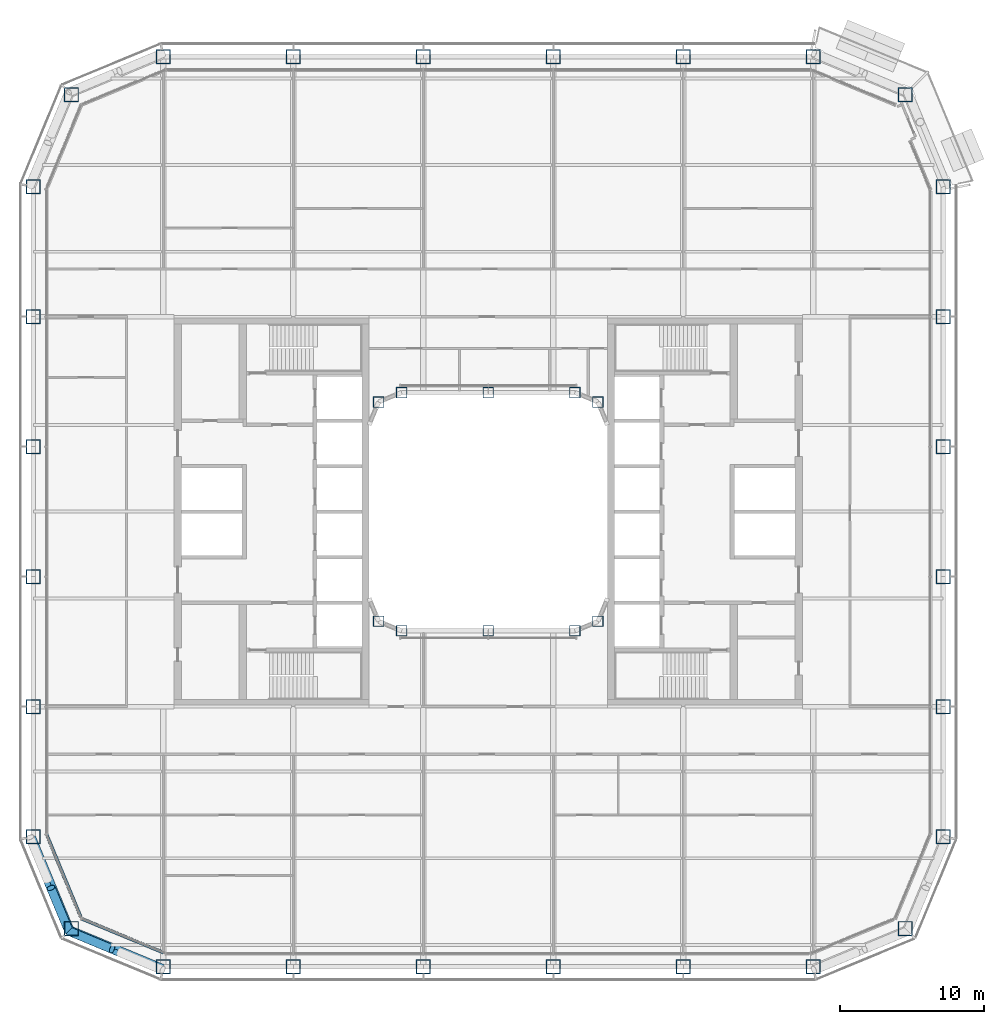
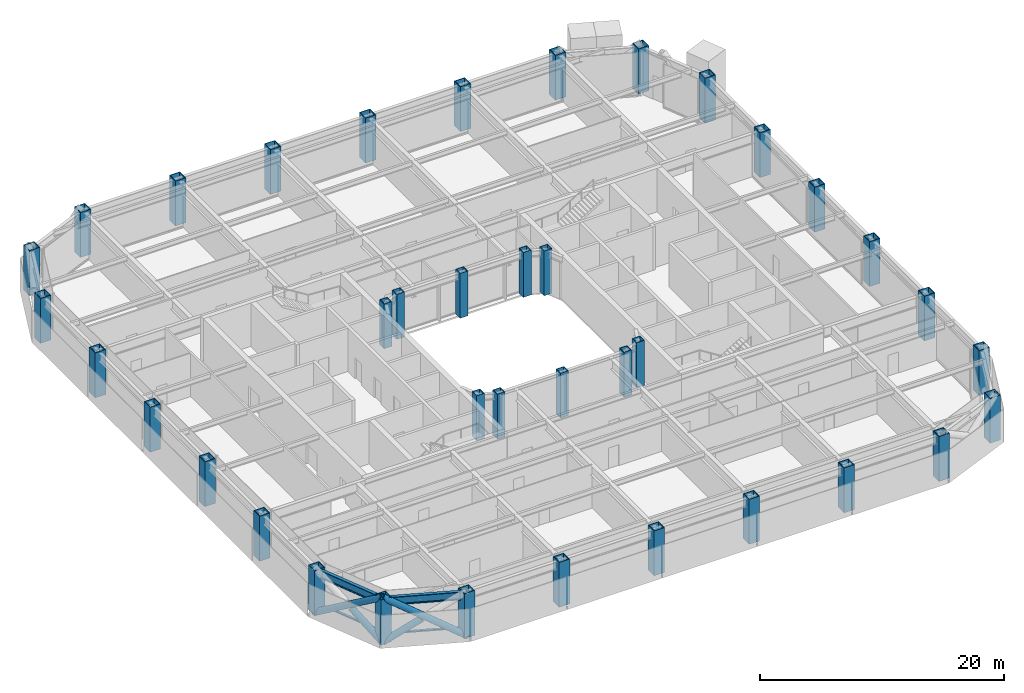
# One storey, part 1 of 30: 38 columns, 6 members, 2 beams, 2 elements without a shape of their own.
"""IFC4 building model written with IfcOpenShell, lengths in metres."""

import ifcopenshell
import ifcopenshell.guid

model = None  # the IFC model being written
_history = None  # IfcOwnerHistory: only IFC2X3 demands one
_inside = {}  # id of a spatial element -> (the spatial element, [elements in it])
_under = {}  # id of a project, library or spatial element -> (it, [spatial elements below it])
_declared = {}  # id of a project -> (the project, [libraries it declares])
_typed = {}  # id of a type object -> (the type object, [elements of that type])
_made_of = {}  # id of a material, layer set ... -> (it, [elements and type objects made of it])


def new_model(schema):
    """Start an empty IFC model of exactly this schema.

    Asked for "IFC4X3", IfcOpenShell would pick the latest addendum, in which some entities
    have other attributes; the version numbers below select the first issue.
    IFC2X3 requires an IfcOwnerHistory on every rooted entity: one is made here for all.
    """
    global model, _history
    if schema == "IFC4X3":
        model = ifcopenshell.file(schema_version=(4, 3, 0, 0))
    else:
        model = ifcopenshell.file(schema=schema)
    _inside.clear()
    _under.clear()
    _declared.clear()
    _typed.clear()
    _made_of.clear()
    _history = None
    if model.schema == "IFC2X3":
        org = make("IfcOrganization", Name="unknown")
        user = make(
            "IfcPersonAndOrganization",
            ThePerson=make("IfcPerson", FamilyName="unknown"),
            TheOrganization=org,
        )
        app = make(
            "IfcApplication",
            ApplicationDeveloper=org,
            Version="unknown",
            ApplicationFullName="unknown",
            ApplicationIdentifier="unknown",
        )
        _history = make(
            "IfcOwnerHistory",
            OwningUser=user,
            OwningApplication=app,
            ChangeAction="ADDED",
            CreationDate=0,
        )
    return model


def make(cls, **values):
    """One entity of the class cls with the attributes given. An attribute that is None is left unset."""
    return model.create_entity(
        cls, **{name: value for name, value in values.items() if value is not None}
    )


def rooted(cls, **values):
    """An entity with a GlobalId (a new one), such as an element, a storey or a relation."""
    return make(cls, GlobalId=ifcopenshell.guid.new(), OwnerHistory=_history, **values)


def si_unit(unit_type, name, prefix=None):
    """IfcSIUnit, for example si_unit("LENGTHUNIT", "METRE", prefix="MILLI")."""
    return make("IfcSIUnit", UnitType=unit_type, Prefix=prefix, Name=name)


def assignment(units):
    """IfcUnitAssignment: the units of a project."""
    return None if units is None else make("IfcUnitAssignment", Units=units)


def point(xyz):
    """IfcCartesianPoint."""
    return None if xyz is None else make("IfcCartesianPoint", Coordinates=xyz)


def direction(xyz):
    """IfcDirection."""
    return None if xyz is None else make("IfcDirection", DirectionRatios=xyz)


def frame(location, z_axis=None, x_axis=None):
    """IfcAxis2Placement3D, a coordinate frame: its origin and axes. An axis left out is left unset."""
    return make(
        "IfcAxis2Placement3D",
        Location=point(location),
        Axis=direction(z_axis),
        RefDirection=direction(x_axis),
    )


def frame_2d(location, x_axis=None):
    """IfcAxis2Placement2D, a coordinate frame in the plane: its origin and x axis."""
    return make(
        "IfcAxis2Placement2D", Location=point(location), RefDirection=direction(x_axis)
    )


def origin():
    """The frame at (0, 0, 0) with its axes left unset."""
    return frame((0.0, 0.0, 0.0))


def origin_2d():
    """The frame at (0, 0) in the plane with its x axis left unset."""
    return frame_2d((0.0, 0.0))


def place(relative_to, where):
    """IfcLocalPlacement: puts the frame where relative to a parent placement (None: the world)."""
    return make(
        "IfcLocalPlacement", PlacementRelTo=relative_to, RelativePlacement=where
    )


def context(
    kind, dimensions, precision=None, world=None, true_north=None, identifier=None
):
    """IfcGeometricRepresentationContext, for example the 3D "Model" context."""
    return make(
        "IfcGeometricRepresentationContext",
        ContextIdentifier=identifier,
        ContextType=kind,
        CoordinateSpaceDimension=dimensions,
        Precision=precision,
        WorldCoordinateSystem=world,
        TrueNorth=true_north,
    )


def subcontext(parent, identifier, kind, view, scale=None):
    """IfcGeometricRepresentationSubContext, for example "Body" below "Model"."""
    return make(
        "IfcGeometricRepresentationSubContext",
        ContextIdentifier=identifier,
        ContextType=kind,
        ParentContext=parent,
        TargetScale=scale,
        TargetView=view,
    )


def project(units=None, contexts=None):
    """IfcProject with its units and contexts."""
    return rooted(
        "IfcProject",
        Name="project",
        RepresentationContexts=contexts,
        UnitsInContext=assignment(units),
    )


def spatial(cls, under=None, at=None, **own):
    """A site, building, storey or space (cls), placed at a placement, below another one or the project."""
    s = rooted(cls, ObjectPlacement=at, **own)
    if under is not None:
        _under.setdefault(under.id(), (under, []))[1].append(s)
    return s


def profile(cls, at=None, kind="AREA", **sizes):
    """A parametric profile (cls). Its sizes go by their IFC names, for example OverallWidth=200.0."""
    return make(cls, ProfileType=kind, Position=at, **sizes)


def rectangle(**sizes):
    """IfcRectangleProfileDef."""
    return profile("IfcRectangleProfileDef", **sizes)


def hollow_rectangle(**sizes):
    """IfcRectangleHollowProfileDef."""
    return profile("IfcRectangleHollowProfileDef", **sizes)


def hollow_circle(**sizes):
    """IfcCircleHollowProfileDef."""
    return profile("IfcCircleHollowProfileDef", **sizes)


def i_section(**sizes):
    """IfcIShapeProfileDef."""
    return profile("IfcIShapeProfileDef", **sizes)


def extrude(swept, where, along, depth):
    """IfcExtrudedAreaSolid: the profile swept, set in the frame where, extruded along a direction by depth."""
    return make(
        "IfcExtrudedAreaSolid",
        SweptArea=swept,
        Position=where,
        ExtrudedDirection=direction(along),
        Depth=depth,
    )


def shape(context_of_items, identifier, shape_type, items):
    """IfcShapeRepresentation: the items that make up one representation, for example the "Body"."""
    return make(
        "IfcShapeRepresentation",
        ContextOfItems=context_of_items,
        RepresentationIdentifier=identifier,
        RepresentationType=shape_type,
        Items=items,
    )


def material(Name=None, Category=None):
    """IfcMaterial."""
    return make("IfcMaterial", Name=Name, Category=Category)


def layer(
    of_material, thickness, ventilated=None, Name=None, Category=None, Priority=None
):
    """IfcMaterialLayer: one layer of a wall or slab, of a material (None: an air gap)."""
    return make(
        "IfcMaterialLayer",
        Material=of_material,
        LayerThickness=thickness,
        IsVentilated=ventilated,
        Name=Name,
        Category=Category,
        Priority=Priority,
    )


def layer_set(layers, Name=None):
    """IfcMaterialLayerSet."""
    return make("IfcMaterialLayerSet", MaterialLayers=layers, LayerSetName=Name)


def material_profile(
    of_material, cross_section, Name=None, Category=None, Priority=None
):
    """IfcMaterialProfile: a cross section and its material."""
    return make(
        "IfcMaterialProfile",
        Name=Name,
        Material=of_material,
        Profile=cross_section,
        Priority=Priority,
        Category=Category,
    )


def profile_set(profiles, Name=None, composite=None):
    """IfcMaterialProfileSet."""
    return make(
        "IfcMaterialProfileSet",
        Name=Name,
        MaterialProfiles=profiles,
        CompositeProfile=composite,
    )


def made_of(thing, what):
    """Note that an element or type object is made of a material, layer set ...; save() writes the relation."""
    if what is not None:
        _made_of.setdefault(what.id(), (what, []))[1].append(thing)
    return thing


def type_object(cls, material=None, **own):
    """A type object (cls), such as IfcWallType, which elements share."""
    return made_of(rooted(cls, **own), material)


def element(
    cls,
    number,
    at=None,
    inside=None,
    cuts=None,
    type_object=None,
    material=None,
    context=None,
    identifier="Body",
    shape_type=None,
    held_by="IfcProductDefinitionShape",
    body=None,
    shapes=None,
    **own,
):
    """One element of the class cls, such as IfcWall. Its Tag is "e" and its number.

    at: its placement. inside: the storey or other place that contains it. cuts: it is an
    opening in that element (IfcRelVoidsElement). A single representation is given by context,
    identifier, shape_type and body (its items); several are given by shapes. held_by: the class
    of the entity that holds the representations. save() writes the other relations.
    """
    e = rooted(cls, Tag="e%d" % number, ObjectPlacement=at, **own)
    if body is not None:
        shapes = [shape(context, identifier, shape_type, body)]
    if shapes is not None:
        e.Representation = make(held_by, Representations=shapes)
    if inside is not None:
        _inside.setdefault(inside.id(), (inside, []))[1].append(e)
    if cuts is not None:
        rooted(
            "IfcRelVoidsElement", RelatingBuildingElement=cuts, RelatedOpeningElement=e
        )
    if type_object is not None:
        _typed.setdefault(type_object.id(), (type_object, []))[1].append(e)
    return made_of(e, material)


def aggregate(whole, parts):
    """IfcRelAggregates: a whole, such as a stair, and the parts it consists of."""
    return rooted("IfcRelAggregates", RelatingObject=whole, RelatedObjects=parts)


def save(model, path):
    """Write the relations noted so far, then the file.

    IfcRelAggregates (storeys below a building ...), IfcRelContainedInSpatialStructure (elements
    in a storey), IfcRelDefinesByType, IfcRelAssociatesMaterial and IfcRelDeclares: one each for
    every whole, place, type object, material and project.
    """
    for whole, parts in _under.values():
        aggregate(whole, parts)
    for where, things in _inside.values():
        rooted(
            "IfcRelContainedInSpatialStructure",
            RelatedElements=things,
            RelatingStructure=where,
        )
    for kind, things in _typed.values():
        rooted("IfcRelDefinesByType", RelatedObjects=things, RelatingType=kind)
    for what, things in _made_of.values():
        rooted("IfcRelAssociatesMaterial", RelatedObjects=things, RelatingMaterial=what)
    for by, libraries in _declared.values():
        rooted("IfcRelDeclares", RelatingContext=by, RelatedDefinitions=libraries)
    model.write(path)


model = new_model("IFC4")

# Units and contexts
model_context = context("Model", 3, precision=1e-05, world=origin(), true_north=direction((0.0, 1.0)))
body_context = subcontext(model_context, "Body", "Model", "MODEL_VIEW")
ifc_project = project(units=[si_unit("LENGTHUNIT", "METRE"), si_unit("AREAUNIT", "SQUARE_METRE"), si_unit("VOLUMEUNIT", "CUBIC_METRE"), si_unit("PLANEANGLEUNIT", "RADIAN"), si_unit("MASSUNIT", "GRAM", prefix="KILO")], contexts=[model_context])

# Site, building, storey
site_placement = place(None, origin())
site = spatial("IfcSite", under=ifc_project, at=site_placement, CompositionType="ELEMENT")
building_placement = place(site_placement, origin())
building = spatial("IfcBuilding", under=site, at=building_placement, Name="Siwar Civic Tower", CompositionType="ELEMENT")
storey_placement = place(building_placement, frame((0.0, 0.0, 80.699951171875)))
storey = spatial("IfcBuildingStorey", under=building, at=storey_placement, Name="L17", CompositionType="ELEMENT", Elevation=80.699951171875)

# Columns
ifc_material_1 = material(Name="Steel S460", Category="steel")
ifc_material_profile_1 = material_profile(ifc_material_1, hollow_rectangle(XDim=1.0, YDim=1.0, WallThickness=0.06005859375, at=origin_2d()), Name="BOX1000x1000x60")
ifc_profile_set_1 = profile_set([ifc_material_profile_1], Name="Steel S460")
column_type_1 = type_object("IfcColumnType", Name="STR-COL-BOX1000x1000x60", PredefinedType="COLUMN", material=ifc_profile_set_1)
for number, where, z_axis, x_axis, name in (
    (1, (-22.5, -31.5, 0.0), (0.0, 0.0, 1.0), (1.0, 0.0, 0.0), "L17/col/S-0"),
    (2, (-13.5, -31.5, 0.0), (0.0, 0.0, 1.0), (1.0, 0.0, 0.0), "L17/col/S-1"),
    (3, (-4.5, -31.5, 0.0), (0.0, 0.0, 1.0), (1.0, 0.0, 0.0), "L17/col/S-2"),
    (4, (4.5, -31.5, 0.0), (0.0, 0.0, 1.0), (1.0, 0.0, 0.0), "L17/col/S-3"),
    (5, (13.5, -31.5, 0.0), (0.0, 0.0, 1.0), (1.0, 0.0, 0.0), "L17/col/S-4"),
    (6, (22.5, -31.5, 0.0), (0.0, 0.0, 1.0), (1.0, 0.0, 0.0), "L17/col/SE1-0"),
    (7, (28.864013671875, -28.864013671875, 0.0), (0.0, 0.0, 1.0), (1.0, 0.0, 0.0), "L17/col/SE2-0"),
    (8, (31.5, -22.5, 0.0), (0.0, 0.0, 1.0), (1.0, 0.0, 0.0), "L17/col/E-0"),
    (9, (31.5, -13.5, 0.0), (0.0, 0.0, 1.0), (1.0, 0.0, 0.0), "L17/col/E-1"),
    (10, (31.5, -4.5, 0.0), (0.0, 0.0, 1.0), (1.0, 0.0, 0.0), "L17/col/E-2"),
    (11, (31.5, 4.5, 0.0), (0.0, 0.0, 1.0), (1.0, 0.0, 0.0), "L17/col/E-3"),
    (12, (31.5, 13.5, 0.0), (0.0, 0.0, 1.0), (1.0, 0.0, 0.0), "L17/col/E-4"),
    (13, (31.5, 22.5, 0.0), (0.0, 0.0, 1.0), (1.0, 0.0, 0.0), "L17/col/NE1-0"),
    (14, (28.864013671875, 28.864013671875, 0.0), (0.0, 0.0, 1.0), (1.0, 0.0, 0.0), "L17/col/NE2-0"),
    (15, (22.5, 31.5, 0.0), (0.0, 0.0, 1.0), (1.0, 0.0, 0.0), "L17/col/N-0"),
    (16, (13.5, 31.5, 0.0), (0.0, 0.0, 1.0), (1.0, 0.0, 0.0), "L17/col/N-1"),
    (17, (4.5, 31.5, 0.0), (0.0, 0.0, 1.0), (1.0, 0.0, 0.0), "L17/col/N-2"),
    (18, (-4.5, 31.5, 0.0), (0.0, 0.0, 1.0), (1.0, 0.0, 0.0), "L17/col/N-3"),
    (19, (-13.5, 31.5, 0.0), (0.0, 0.0, 1.0), (1.0, 0.0, 0.0), "L17/col/N-4"),
    (20, (-22.5, 31.5, 0.0), (0.0, 0.0, 1.0), (1.0, 0.0, 0.0), "L17/col/NW1-0"),
    (21, (-28.864013671875, 28.864013671875, 0.0), (0.0, 0.0, 1.0), (1.0, 0.0, 0.0), "L17/col/NW2-0"),
    (22, (-31.5, 22.5, 0.0), (0.0, 0.0, 1.0), (1.0, 0.0, 0.0), "L17/col/W-0"),
    (23, (-31.5, 13.5, 0.0), (0.0, 0.0, 1.0), (1.0, 0.0, 0.0), "L17/col/W-1"),
    (24, (-31.5, 4.5, 0.0), (0.0, 0.0, 1.0), (1.0, 0.0, 0.0), "L17/col/W-2"),
    (25, (-31.5, -4.5, 0.0), (0.0, 0.0, 1.0), (1.0, 0.0, 0.0), "L17/col/W-3"),
    (26, (-31.5, -13.5, 0.0), (0.0, 0.0, 1.0), (1.0, 0.0, 0.0), "L17/col/W-4"),
    (27, (-31.5, -22.5, 0.0), (0.0, 0.0, 1.0), (1.0, 0.0, 0.0), "L17/col/SW1-0"),
    (28, (-28.864013671875, -28.864013671875, 0.0), (0.0, 0.0, 1.0), (1.0, 0.0, 0.0), "L17/col/SW2-0"),
):
    element("IfcColumn", number, at=place(storey_placement, frame(where, z_axis=z_axis, x_axis=x_axis)), inside=storey, type_object=column_type_1, Name=name, PredefinedType="COLUMN", context=body_context, shape_type="SweptSolid", body=[
        extrude(hollow_rectangle(XDim=1.0, YDim=1.0, WallThickness=0.06005859375, at=origin_2d()), origin(), (0.0, 0.0, 1.0), 4.5),
    ])
ifc_material_2 = material(Name="Steel S355", Category="steel")
ifc_material_profile_2 = material_profile(ifc_material_2, hollow_rectangle(XDim=0.75, YDim=0.75, WallThickness=0.044921875, at=origin_2d()), Name="BOX750x750x45")
ifc_profile_set_2 = profile_set([ifc_material_profile_2], Name="Steel S355")
column_type_2 = type_object("IfcColumnType", Name="STR-ICOL-BOX750x750x45", PredefinedType="COLUMN", material=ifc_profile_set_2)
for number, where, z_axis, x_axis, name in (
    (29, (-7.591064453125, -7.591064453125, 0.0), (0.0, 0.0, 1.0), (1.0, 0.0, 0.0), "L17/col/IS-0"),
    (30, (-6.0, -8.25, 0.0), (0.0, 0.0, 1.0), (1.0, 0.0, 0.0), "L17/col/IS-1"),
    (31, (0.0, -8.25, 0.0), (0.0, 0.0, 1.0), (1.0, 0.0, 0.0), "L17/col/IS-2"),
    (32, (6.0, -8.25, 0.0), (0.0, 0.0, 1.0), (1.0, 0.0, 0.0), "L17/col/IS-3"),
    (33, (7.591064453125, -7.591064453125, 0.0), (0.0, 0.0, 1.0), (1.0, 0.0, 0.0), "L17/col/IS-4"),
    (34, (-7.591064453125, 7.591064453125, 0.0), (0.0, 0.0, 1.0), (1.0, 0.0, 0.0), "L17/col/IN-0"),
    (35, (-6.0, 8.25, 0.0), (0.0, 0.0, 1.0), (1.0, 0.0, 0.0), "L17/col/IN-1"),
    (36, (0.0, 8.25, 0.0), (0.0, 0.0, 1.0), (1.0, 0.0, 0.0), "L17/col/IN-2"),
    (37, (6.0, 8.25, 0.0), (0.0, 0.0, 1.0), (1.0, 0.0, 0.0), "L17/col/IN-3"),
    (38, (7.591064453125, 7.591064453125, 0.0), (0.0, 0.0, 1.0), (1.0, 0.0, 0.0), "L17/col/IN-4"),
):
    element("IfcColumn", number, at=place(storey_placement, frame(where, z_axis=z_axis, x_axis=x_axis)), inside=storey, type_object=column_type_2, Name=name, PredefinedType="COLUMN", context=body_context, shape_type="SweptSolid", body=[
        extrude(hollow_rectangle(XDim=0.75, YDim=0.75, WallThickness=0.044921875, at=origin_2d()), origin(), (0.0, 0.0, 1.0), 4.5),
    ])

# Curtain wall, member
ifc_material_3 = material(Name="Aluminium clad insulated panel", Category="aluminium")
ifc_layer = layer(ifc_material_3, 0.219970703125)
ifc_layer_set = layer_set([ifc_layer], Name="Aluminium clad insulated panel")
curtain_wall_type = type_object("IfcCurtainWallType", Name="ENV-CW-AX", PredefinedType="NOTDEFINED", material=ifc_layer_set)
curtain_wall_1_placement = place(storey_placement, origin())
curtain_wall_1 = element("IfcCurtainWall", 39, at=curtain_wall_1_placement, inside=storey, type_object=curtain_wall_type, Name="Curtain wall A SW1", PredefinedType="NOTDEFINED")
ifc_material_4 = material(Name="Aluminium 6063-T6", Category="aluminium")
ifc_material_profile_3 = material_profile(ifc_material_4, rectangle(XDim=0.219970703125, YDim=0.1201171875, at=origin_2d()), Name="AL 220x120")
ifc_profile_set_3 = profile_set([ifc_material_profile_3], Name="Aluminium 6063-T6")
member_type_1 = type_object("IfcMemberType", Name="ENV-TRANSOM-A", PredefinedType="USERDEFINED", material=ifc_profile_set_3)
member_1_placement = place(storey_placement, frame((-30.586669921875, -22.353271484375, 0.06005859375), z_axis=(0.382698415042, -0.923873326341, 0.0), x_axis=(0.923873326341, 0.382698415042, 0.0)))
member_1 = element("IfcMember", 40, at=member_1_placement, type_object=member_type_1, Name="Transom A SW1 1", ObjectType="TRANSOM", PredefinedType="USERDEFINED", context=body_context, shape_type="SweptSolid", body=[
    extrude(rectangle(XDim=0.219970703125, YDim=0.1201171875, at=origin_2d()), origin(), (0.0, 0.0, 1.0), 6.17919921875),
])
aggregate(curtain_wall_1, [member_1])

curtain_wall_2_placement = place(storey_placement, origin())
curtain_wall_2 = element("IfcCurtainWall", 41, at=curtain_wall_2_placement, inside=storey, type_object=curtain_wall_type, Name="Curtain wall A SW2", PredefinedType="NOTDEFINED")
member_2_placement = place(storey_placement, frame((-28.142822265625, -28.1884765625, 0.06005859375), z_axis=(0.923873326341, -0.382698415042, 0.0), x_axis=(0.382698415042, 0.923873326341, 0.0)))
member_2 = element("IfcMember", 42, at=member_2_placement, type_object=member_type_1, Name="Transom A SW2 1", ObjectType="TRANSOM", PredefinedType="USERDEFINED", context=body_context, shape_type="SweptSolid", body=[
    extrude(rectangle(XDim=0.219970703125, YDim=0.1201171875, at=origin_2d()), origin(), (0.0, 0.0, 1.0), 6.17919921875),
])
aggregate(curtain_wall_2, [member_2])

# Members
ifc_material_5 = material(Name="Steel S355", Category="steel")
ifc_material_profile_4 = material_profile(ifc_material_5, hollow_circle(Radius=0.304931640625, WallThickness=0.030029296875, at=origin_2d()), Name="CHS610x30")
ifc_profile_set_4 = profile_set([ifc_material_profile_4], Name="Steel S355")
member_type_2 = type_object("IfcMemberType", Name="STR-BR-CHS610x30", PredefinedType="BRACE", material=ifc_profile_set_4)
member_3_placement = place(storey_placement, frame((-22.548828125, -31.7451171875, 0.0), z_axis=(-0.777554562952, 0.323905527954, 0.538975055633), x_axis=(-0.384538969033, -0.923108759191, 0.0)))
element("IfcMember", 43, at=member_3_placement, inside=storey, type_object=member_type_2, Name="L17/brc/ASW1-16-0-1", PredefinedType="BRACE", context=body_context, shape_type="SweptSolid", body=[
    extrude(hollow_circle(Radius=0.304931640625, WallThickness=0.030029296875, at=origin_2d()), origin(), (0.0, 0.0, 1.0), 8.34912109375),
])
member_4_placement = place(storey_placement, frame((-29.040771484375, -29.040771484375, 0.0), z_axis=(0.777542179573, -0.323922979564, 0.53898243227), x_axis=(0.384561842466, 0.923099230484, 0.0)))
element("IfcMember", 44, at=member_4_placement, inside=storey, type_object=member_type_2, Name="L17/brc/ASW1-16-0-2", PredefinedType="BRACE", context=body_context, shape_type="SweptSolid", body=[
    extrude(hollow_circle(Radius=0.304931640625, WallThickness=0.030029296875, at=origin_2d()), origin(), (0.0, 0.0, 1.0), 3.84375),
])
member_5_placement = place(storey_placement, frame((-31.7451171875, -22.548828125, 0.0), z_axis=(0.323905527954, -0.777554562952, 0.538975055633), x_axis=(0.923108759191, 0.384538969033, 0.0)))
element("IfcMember", 45, at=member_5_placement, inside=storey, type_object=member_type_2, Name="L17/brc/ASW1-16-0-0", PredefinedType="BRACE", context=body_context, shape_type="SweptSolid", body=[
    extrude(hollow_circle(Radius=0.304931640625, WallThickness=0.030029296875, at=origin_2d()), origin(), (0.0, 0.0, 1.0), 8.34912109375),
])
member_6_placement = place(storey_placement, frame((-29.040771484375, -29.040771484375, 0.0), z_axis=(-0.323922979564, 0.777542179573, 0.53898243227), x_axis=(-0.923099230484, -0.384561842466, 0.0)))
element("IfcMember", 46, at=member_6_placement, inside=storey, type_object=member_type_2, Name="L17/brc/ASW1-16-0-4", PredefinedType="BRACE", context=body_context, shape_type="SweptSolid", body=[
    extrude(hollow_circle(Radius=0.304931640625, WallThickness=0.030029296875, at=origin_2d()), origin(), (0.0, 0.0, 1.0), 3.84375),
])

# Beams
ifc_material_6 = material(Name="Steel S355", Category="steel")
ifc_material_profile_5 = material_profile(ifc_material_6, i_section(OverallWidth=0.302978515625, OverallDepth=0.81396484375, WebThickness=0.02099609375, FlangeThickness=0.0400390625, FilletRadius=0.030029296875, at=origin_2d()), Name="HEM800")
ifc_profile_set_5 = profile_set([ifc_material_profile_5], Name="Steel S355")
beam_type = type_object("IfcBeamType", Name="STR-SB-HEM800", PredefinedType="BEAM", material=ifc_profile_set_5)
for number, where, z_axis, x_axis, name in (
    (47, (-31.5, -22.5, 3.943115234375), (0.382674207535, -0.923883353507, 0.0), (0.923883353507, 0.382674207535, 0.0), "L17/bm/SSW1-0"),
    (48, (-28.864013671875, -28.864013671875, 3.943115234375), (0.923883353507, -0.382674207535, 0.0), (0.382674207535, 0.923883353507, 0.0), "L17/bm/SSW2-0"),
):
    element("IfcBeam", number, at=place(storey_placement, frame(where, z_axis=z_axis, x_axis=x_axis)), inside=storey, type_object=beam_type, Name=name, PredefinedType="BEAM", context=body_context, shape_type="SweptSolid", body=[
        extrude(i_section(OverallWidth=0.302978515625, OverallDepth=0.81396484375, WebThickness=0.02099609375, FlangeThickness=0.0400390625, FilletRadius=0.030029296875, at=origin_2d()), origin(), (0.0, 0.0, 1.0), 6.888427734375),
    ])

save(model, "model.ifc")
